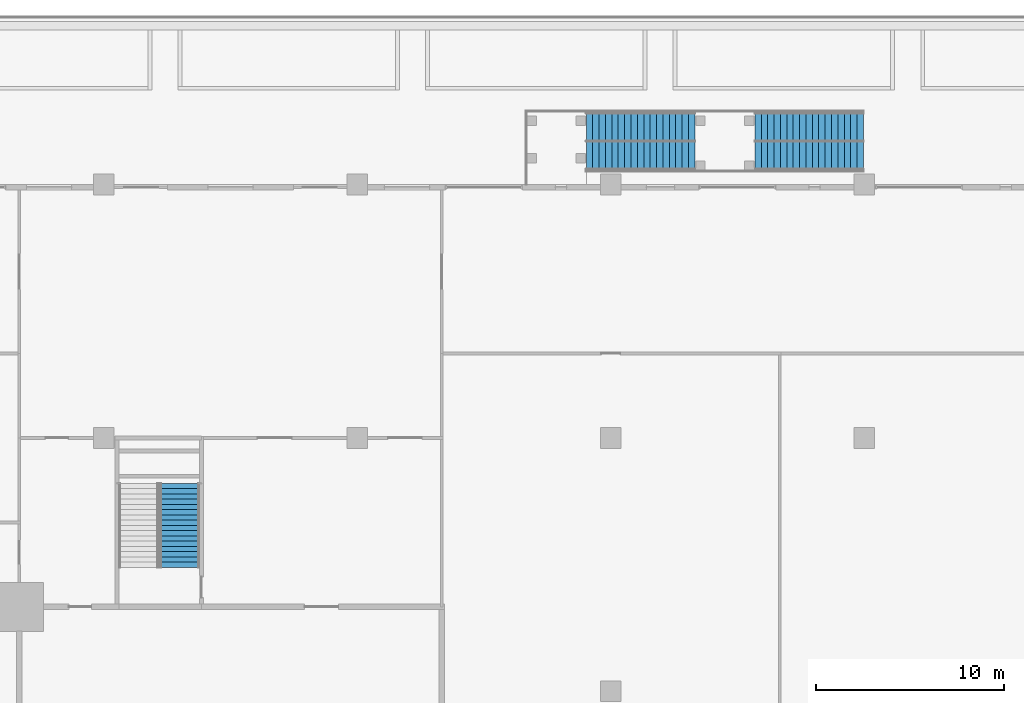
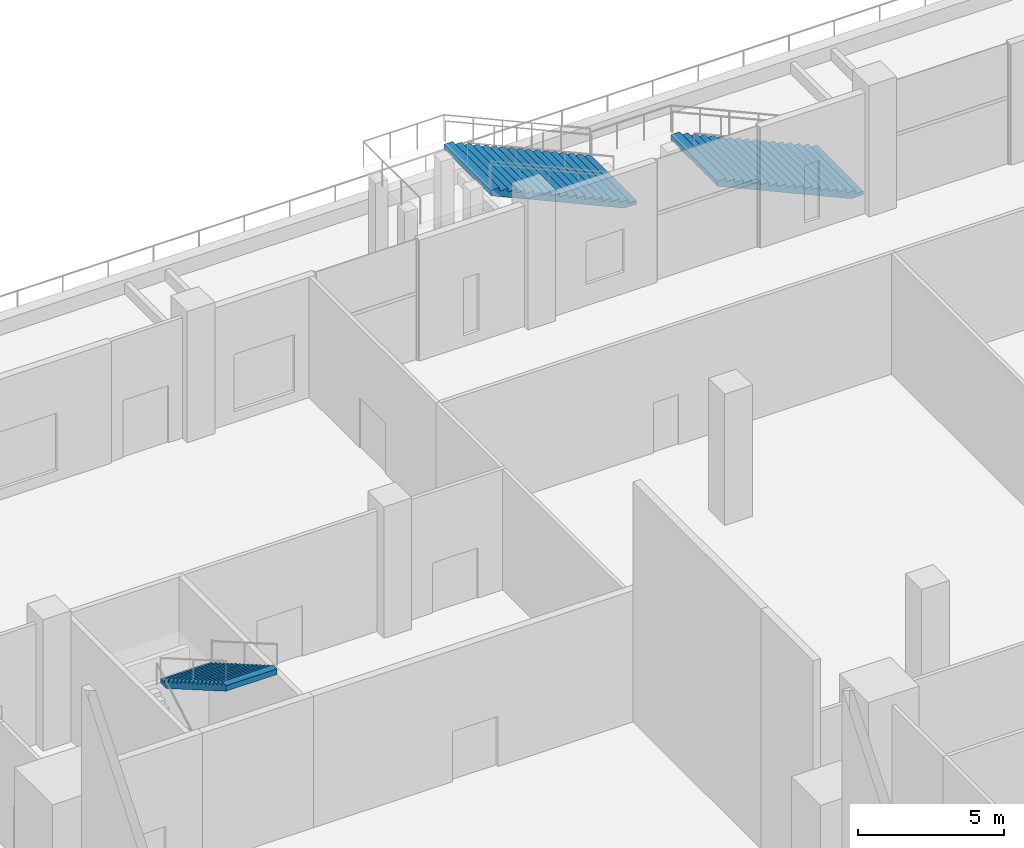
# One storey, part 41 of 47: 3 stair flights, 2 elements without a shape of their own.
"""IFC4 building model written with IfcOpenShell, lengths in metres."""

import ifcopenshell
import ifcopenshell.guid

model = None  # the IFC model being written
_history = None  # IfcOwnerHistory: only IFC2X3 demands one
_inside = {}  # id of a spatial element -> (the spatial element, [elements in it])
_under = {}  # id of a project, library or spatial element -> (it, [spatial elements below it])
_declared = {}  # id of a project -> (the project, [libraries it declares])
_typed = {}  # id of a type object -> (the type object, [elements of that type])
_made_of = {}  # id of a material, layer set ... -> (it, [elements and type objects made of it])


def new_model(schema):
    """Start an empty IFC model of exactly this schema.

    Asked for "IFC4X3", IfcOpenShell would pick the latest addendum, in which some entities
    have other attributes; the version numbers below select the first issue.
    IFC2X3 requires an IfcOwnerHistory on every rooted entity: one is made here for all.
    """
    global model, _history
    if schema == "IFC4X3":
        model = ifcopenshell.file(schema_version=(4, 3, 0, 0))
    else:
        model = ifcopenshell.file(schema=schema)
    _inside.clear()
    _under.clear()
    _declared.clear()
    _typed.clear()
    _made_of.clear()
    _history = None
    if model.schema == "IFC2X3":
        org = make("IfcOrganization", Name="unknown")
        user = make(
            "IfcPersonAndOrganization",
            ThePerson=make("IfcPerson", FamilyName="unknown"),
            TheOrganization=org,
        )
        app = make(
            "IfcApplication",
            ApplicationDeveloper=org,
            Version="unknown",
            ApplicationFullName="unknown",
            ApplicationIdentifier="unknown",
        )
        _history = make(
            "IfcOwnerHistory",
            OwningUser=user,
            OwningApplication=app,
            ChangeAction="ADDED",
            CreationDate=0,
        )
    return model


def make(cls, **values):
    """One entity of the class cls with the attributes given. An attribute that is None is left unset."""
    return model.create_entity(
        cls, **{name: value for name, value in values.items() if value is not None}
    )


def rooted(cls, **values):
    """An entity with a GlobalId (a new one), such as an element, a storey or a relation."""
    return make(cls, GlobalId=ifcopenshell.guid.new(), OwnerHistory=_history, **values)


def si_unit(unit_type, name, prefix=None):
    """IfcSIUnit, for example si_unit("LENGTHUNIT", "METRE", prefix="MILLI")."""
    return make("IfcSIUnit", UnitType=unit_type, Prefix=prefix, Name=name)


def assignment(units):
    """IfcUnitAssignment: the units of a project."""
    return None if units is None else make("IfcUnitAssignment", Units=units)


def point(xyz):
    """IfcCartesianPoint."""
    return None if xyz is None else make("IfcCartesianPoint", Coordinates=xyz)


def direction(xyz):
    """IfcDirection."""
    return None if xyz is None else make("IfcDirection", DirectionRatios=xyz)


def frame(location, z_axis=None, x_axis=None):
    """IfcAxis2Placement3D, a coordinate frame: its origin and axes. An axis left out is left unset."""
    return make(
        "IfcAxis2Placement3D",
        Location=point(location),
        Axis=direction(z_axis),
        RefDirection=direction(x_axis),
    )


def origin():
    """The frame at (0, 0, 0) with its axes left unset."""
    return frame((0.0, 0.0, 0.0))


def place(relative_to, where):
    """IfcLocalPlacement: puts the frame where relative to a parent placement (None: the world)."""
    return make(
        "IfcLocalPlacement", PlacementRelTo=relative_to, RelativePlacement=where
    )


def context(
    kind, dimensions, precision=None, world=None, true_north=None, identifier=None
):
    """IfcGeometricRepresentationContext, for example the 3D "Model" context."""
    return make(
        "IfcGeometricRepresentationContext",
        ContextIdentifier=identifier,
        ContextType=kind,
        CoordinateSpaceDimension=dimensions,
        Precision=precision,
        WorldCoordinateSystem=world,
        TrueNorth=true_north,
    )


def subcontext(parent, identifier, kind, view, scale=None):
    """IfcGeometricRepresentationSubContext, for example "Body" below "Model"."""
    return make(
        "IfcGeometricRepresentationSubContext",
        ContextIdentifier=identifier,
        ContextType=kind,
        ParentContext=parent,
        TargetScale=scale,
        TargetView=view,
    )


def project(units=None, contexts=None):
    """IfcProject with its units and contexts."""
    return rooted(
        "IfcProject",
        Name="project",
        RepresentationContexts=contexts,
        UnitsInContext=assignment(units),
    )


def spatial(cls, under=None, at=None, **own):
    """A site, building, storey or space (cls), placed at a placement, below another one or the project."""
    s = rooted(cls, ObjectPlacement=at, **own)
    if under is not None:
        _under.setdefault(under.id(), (under, []))[1].append(s)
    return s


def polyline(points):
    """IfcPolyline through the points."""
    return make("IfcPolyline", Points=[point(p) for p in points])


def outline(outer, holes=None, kind="AREA"):
    """IfcArbitraryClosedProfileDef: a profile drawn as a closed curve; with holes, ...WithVoids."""
    if holes is None:
        return make("IfcArbitraryClosedProfileDef", ProfileType=kind, OuterCurve=outer)
    return make(
        "IfcArbitraryProfileDefWithVoids",
        ProfileType=kind,
        OuterCurve=outer,
        InnerCurves=holes,
    )


def extrude(swept, where, along, depth):
    """IfcExtrudedAreaSolid: the profile swept, set in the frame where, extruded along a direction by depth."""
    return make(
        "IfcExtrudedAreaSolid",
        SweptArea=swept,
        Position=where,
        ExtrudedDirection=direction(along),
        Depth=depth,
    )


def shape(context_of_items, identifier, shape_type, items):
    """IfcShapeRepresentation: the items that make up one representation, for example the "Body"."""
    return make(
        "IfcShapeRepresentation",
        ContextOfItems=context_of_items,
        RepresentationIdentifier=identifier,
        RepresentationType=shape_type,
        Items=items,
    )


def material(Name=None, Category=None):
    """IfcMaterial."""
    return make("IfcMaterial", Name=Name, Category=Category)


def made_of(thing, what):
    """Note that an element or type object is made of a material, layer set ...; save() writes the relation."""
    if what is not None:
        _made_of.setdefault(what.id(), (what, []))[1].append(thing)
    return thing


def type_object(cls, material=None, **own):
    """A type object (cls), such as IfcWallType, which elements share."""
    return made_of(rooted(cls, **own), material)


def element(
    cls,
    number,
    at=None,
    inside=None,
    cuts=None,
    type_object=None,
    material=None,
    context=None,
    identifier="Body",
    shape_type=None,
    held_by="IfcProductDefinitionShape",
    body=None,
    shapes=None,
    **own,
):
    """One element of the class cls, such as IfcWall. Its Tag is "e" and its number.

    at: its placement. inside: the storey or other place that contains it. cuts: it is an
    opening in that element (IfcRelVoidsElement). A single representation is given by context,
    identifier, shape_type and body (its items); several are given by shapes. held_by: the class
    of the entity that holds the representations. save() writes the other relations.
    """
    e = rooted(cls, Tag="e%d" % number, ObjectPlacement=at, **own)
    if body is not None:
        shapes = [shape(context, identifier, shape_type, body)]
    if shapes is not None:
        e.Representation = make(held_by, Representations=shapes)
    if inside is not None:
        _inside.setdefault(inside.id(), (inside, []))[1].append(e)
    if cuts is not None:
        rooted(
            "IfcRelVoidsElement", RelatingBuildingElement=cuts, RelatedOpeningElement=e
        )
    if type_object is not None:
        _typed.setdefault(type_object.id(), (type_object, []))[1].append(e)
    return made_of(e, material)


def aggregate(whole, parts):
    """IfcRelAggregates: a whole, such as a stair, and the parts it consists of."""
    return rooted("IfcRelAggregates", RelatingObject=whole, RelatedObjects=parts)


def save(model, path):
    """Write the relations noted so far, then the file.

    IfcRelAggregates (storeys below a building ...), IfcRelContainedInSpatialStructure (elements
    in a storey), IfcRelDefinesByType, IfcRelAssociatesMaterial and IfcRelDeclares: one each for
    every whole, place, type object, material and project.
    """
    for whole, parts in _under.values():
        aggregate(whole, parts)
    for where, things in _inside.values():
        rooted(
            "IfcRelContainedInSpatialStructure",
            RelatedElements=things,
            RelatingStructure=where,
        )
    for kind, things in _typed.values():
        rooted("IfcRelDefinesByType", RelatedObjects=things, RelatingType=kind)
    for what, things in _made_of.values():
        rooted("IfcRelAssociatesMaterial", RelatedObjects=things, RelatingMaterial=what)
    for by, libraries in _declared.values():
        rooted("IfcRelDeclares", RelatingContext=by, RelatedDefinitions=libraries)
    model.write(path)


model = new_model("IFC4")

# Units and contexts
model_context = context("Model", 3, precision=1e-05, world=origin(), true_north=direction((0.0, 1.0)))
body_context = subcontext(model_context, "Body", "Model", "MODEL_VIEW")
ifc_project = project(units=[si_unit("LENGTHUNIT", "METRE"), si_unit("AREAUNIT", "SQUARE_METRE"), si_unit("VOLUMEUNIT", "CUBIC_METRE"), si_unit("PLANEANGLEUNIT", "RADIAN"), si_unit("MASSUNIT", "GRAM", prefix="KILO")], contexts=[model_context])

# Site, building, storey
site_placement = place(None, origin())
site = spatial("IfcSite", under=ifc_project, at=site_placement, CompositionType="ELEMENT")
building_placement = place(site_placement, origin())
building = spatial("IfcBuilding", under=site, at=building_placement, Name="Altepetl Exchange Towers", CompositionType="ELEMENT")
storey_placement = place(building_placement, frame((0.0, 0.0, 6.0)))
storey = spatial("IfcBuildingStorey", under=building, at=storey_placement, Name="L01 Retail podium", CompositionType="ELEMENT", Elevation=6.0)

# Stair, stair flights
ifc_material = material(Name="Reinforced concrete C35/45", Category="concrete")
stair_type_1 = type_object("IfcStairType", Name="Exit garden steps 3200", PredefinedType="TWO_STRAIGHT_RUN_STAIR", material=ifc_material)
stair_1_placement = place(storey_placement, origin())
stair_1 = element("IfcStair", 1, at=stair_1_placement, inside=storey, type_object=stair_type_1, Name="ST-G8 exit garden steps", PredefinedType="TWO_STRAIGHT_RUN_STAIR")
stair_flight_type_1 = type_object("IfcStairFlightType", Name="Exit garden steps flight 3200", PredefinedType="STRAIGHT", material=ifc_material)
stair_flight_1_placement = place(storey_placement, frame((107.97998046875, 92.300048828125, 2.75), z_axis=(0.0, 0.0, 1.0), x_axis=(-1.0, 0.0, 0.0)))
stair_flight_1 = element("IfcStairFlight", 2, at=stair_flight_1_placement, type_object=stair_flight_type_1, Name="ST-G8 flight 1", NumberOfRisers=18, NumberOfTreads=17, PredefinedType="STRAIGHT", RiserHeight=0.152778, TreadLength=0.34, context=body_context, shape_type="SweptSolid", body=[
    extrude(outline(polyline([(0.0, 0.0), (0.0, 0.15283203125), (0.340087890625, 0.15283203125), (0.340087890625, 0.3056640625), (0.679931640625, 0.3056640625), (0.679931640625, 0.458251953125), (1.02001953125, 0.458251953125), (1.02001953125, 0.611083984375), (1.360107421875, 0.611083984375), (1.360107421875, 0.763916015625), (1.699951171875, 0.763916015625), (1.699951171875, 0.916748046875), (2.0400390625, 0.916748046875), (2.0400390625, 1.0693359375), (2.3798828125, 1.0693359375), (2.3798828125, 1.22216796875), (2.719970703125, 1.22216796875), (2.719970703125, 1.375), (3.06005859375, 1.375), (3.06005859375, 1.52783203125), (3.39990234375, 1.52783203125), (3.39990234375, 1.6806640625), (3.739990234375, 1.6806640625), (3.739990234375, 1.833251953125), (4.080078125, 1.833251953125), (4.080078125, 1.986083984375), (4.419921875, 1.986083984375), (4.419921875, 2.138916015625), (4.760009765625, 2.138916015625), (4.760009765625, 2.291748046875), (5.10009765625, 2.291748046875), (5.10009765625, 2.4443359375), (5.43994140625, 2.4443359375), (5.43994140625, 2.59716796875), (5.780029296875, 2.59716796875), (5.780029296875, 2.75), (5.780029296875, 2.3779296875), (0.48779296875, 0.0), (0.0, 0.0)])), frame((0.0, 1.60009765625, 0.0), z_axis=(0.0, -1.0, 0.0), x_axis=(1.0, 0.0, 0.0)), (0.0, 0.0, 1.0), 3.199951171875),
])
stair_flight_2_placement = place(storey_placement, frame((116.9599609375, 92.300048828125, 0.0), z_axis=(0.0, 0.0, 1.0), x_axis=(-1.0, 0.0, 0.0)))
stair_flight_2 = element("IfcStairFlight", 3, at=stair_flight_2_placement, type_object=stair_flight_type_1, Name="ST-G8 flight 2", NumberOfRisers=18, NumberOfTreads=17, PredefinedType="STRAIGHT", RiserHeight=0.152778, TreadLength=0.34, context=body_context, shape_type="SweptSolid", body=[
    extrude(outline(polyline([(0.0, 0.0), (0.0, 0.15283203125), (0.340087890625, 0.15283203125), (0.340087890625, 0.3056640625), (0.679931640625, 0.3056640625), (0.679931640625, 0.458251953125), (1.02001953125, 0.458251953125), (1.02001953125, 0.611083984375), (1.360107421875, 0.611083984375), (1.360107421875, 0.763916015625), (1.699951171875, 0.763916015625), (1.699951171875, 0.916748046875), (2.0400390625, 0.916748046875), (2.0400390625, 1.0693359375), (2.3798828125, 1.0693359375), (2.3798828125, 1.22216796875), (2.719970703125, 1.22216796875), (2.719970703125, 1.375), (3.06005859375, 1.375), (3.06005859375, 1.52783203125), (3.39990234375, 1.52783203125), (3.39990234375, 1.6806640625), (3.739990234375, 1.6806640625), (3.739990234375, 1.833251953125), (4.080078125, 1.833251953125), (4.080078125, 1.986083984375), (4.419921875, 1.986083984375), (4.419921875, 2.138916015625), (4.760009765625, 2.138916015625), (4.760009765625, 2.291748046875), (5.10009765625, 2.291748046875), (5.10009765625, 2.4443359375), (5.43994140625, 2.4443359375), (5.43994140625, 2.59716796875), (5.780029296875, 2.59716796875), (5.780029296875, 2.75), (5.780029296875, 2.3779296875), (0.48779296875, 0.0), (0.0, 0.0)])), frame((0.0, 1.60009765625, 0.0), z_axis=(0.0, -1.0, 0.0), x_axis=(1.0, 0.0, 0.0)), (0.0, 0.0, 1.0), 3.199951171875),
])
aggregate(stair_1, [stair_flight_1, stair_flight_2])

# Stair, stair flight
stair_type_2 = type_object("IfcStairType", Name="Exit half-turn stair 2025", PredefinedType="HALF_TURN_STAIR", material=ifc_material)
stair_2_placement = place(storey_placement, origin())
stair_2 = element("IfcStair", 4, at=stair_2_placement, inside=storey, type_object=stair_type_2, Name="ST-P10 stair", PredefinedType="HALF_TURN_STAIR")
stair_flight_type_2 = type_object("IfcStairFlightType", Name="Stair flight 2025", PredefinedType="STRAIGHT", material=ifc_material)
stair_flight_3_placement = place(storey_placement, frame((80.53759765625, 74.080078125, 2.75), z_axis=(0.0, 0.0, 1.0), x_axis=(0.0, -1.0, 0.0)))
stair_flight_3 = element("IfcStairFlight", 5, at=stair_flight_3_placement, type_object=stair_flight_type_2, Name="ST-P10 flight 2", NumberOfRisers=17, NumberOfTreads=16, PredefinedType="STRAIGHT", RiserHeight=0.161765, TreadLength=0.28, context=body_context, shape_type="SweptSolid", body=[
    extrude(outline(polyline([(0.0, 0.0), (0.0, 0.161865234375), (0.280029296875, 0.161865234375), (0.280029296875, 0.323486328125), (0.56005859375, 0.323486328125), (0.56005859375, 0.4853515625), (0.840087890625, 0.4853515625), (0.840087890625, 0.64697265625), (1.1201171875, 0.64697265625), (1.1201171875, 0.808837890625), (1.39990234375, 0.808837890625), (1.39990234375, 0.970703125), (1.679931640625, 0.970703125), (1.679931640625, 1.13232421875), (1.9599609375, 1.13232421875), (1.9599609375, 1.294189453125), (2.239990234375, 1.294189453125), (2.239990234375, 1.455810546875), (2.52001953125, 1.455810546875), (2.52001953125, 1.61767578125), (2.800048828125, 1.61767578125), (2.800048828125, 1.779296875), (3.080078125, 1.779296875), (3.080078125, 1.941162109375), (3.360107421875, 1.941162109375), (3.360107421875, 2.10302734375), (3.639892578125, 2.10302734375), (3.639892578125, 2.2646484375), (3.919921875, 2.2646484375), (3.919921875, 2.426513671875), (4.199951171875, 2.426513671875), (4.199951171875, 2.588134765625), (4.47998046875, 2.588134765625), (4.47998046875, 2.75), (4.47998046875, 2.357421875), (0.399658203125, 0.0), (0.0, 0.0)])), frame((0.0, 1.012451171875, 0.0), z_axis=(0.0, -1.0, 0.0), x_axis=(1.0, 0.0, 0.0)), (0.0, 0.0, 1.0), 2.02490234375),
])
aggregate(stair_2, [stair_flight_3])

save(model, "model.ifc")
